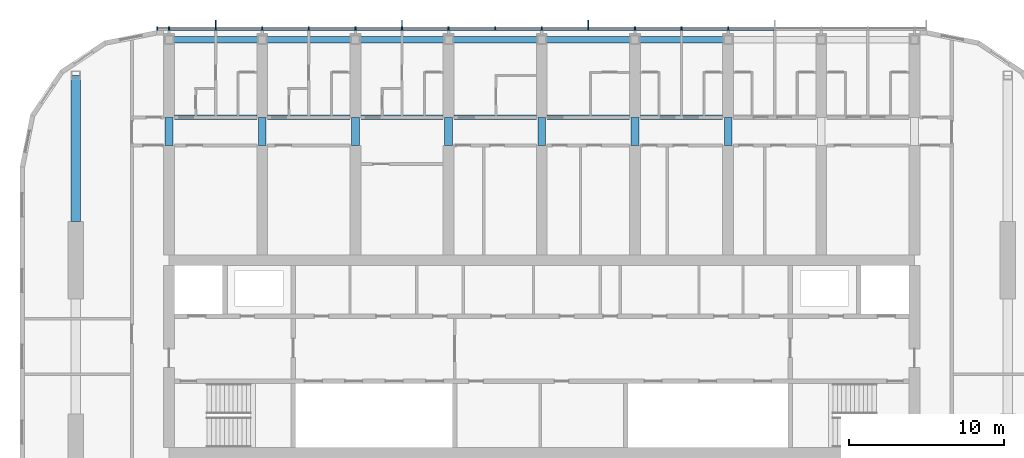
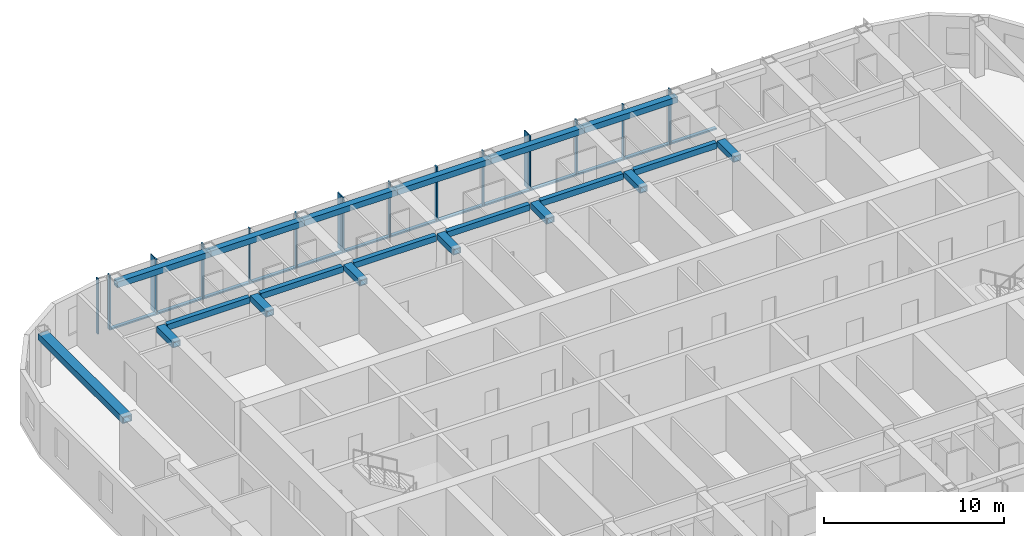
# One storey, part 4 of 24: 30 members, 20 beams, 1 element without a shape of its own.
"""IFC4 building model written with IfcOpenShell, lengths in metres."""

from ifc_helpers import new_model, si_unit, direction, frame, origin, origin_2d, place, context, subcontext, project, spatial, rectangle, hollow_rectangle, extrude, material, material_profile, profile_set, type_object, element, aggregate, save


model = new_model("IFC4")

# Units and contexts
model_context = context("Model", 3, precision=1e-05, world=origin(), true_north=direction((0.0, 1.0)))
body_context = subcontext(model_context, "Body", "Model", "MODEL_VIEW")
ifc_project = project(units=[si_unit("LENGTHUNIT", "METRE"), si_unit("AREAUNIT", "SQUARE_METRE"), si_unit("VOLUMEUNIT", "CUBIC_METRE"), si_unit("PLANEANGLEUNIT", "RADIAN"), si_unit("MASSUNIT", "GRAM", prefix="KILO")], contexts=[model_context])

# Site, building, storey
site_placement = place(None, origin())
site = spatial("IfcSite", under=ifc_project, at=site_placement, CompositionType="ELEMENT")
building_placement = place(site_placement, origin())
building = spatial("IfcBuilding", under=site, at=building_placement, Name="Orbita Commons", CompositionType="ELEMENT")
storey_placement = place(building_placement, frame((0.0, 0.0, 239.050048828125)))
storey = spatial("IfcBuildingStorey", under=building, at=storey_placement, Name="L59", CompositionType="ELEMENT", Elevation=239.050048828125)

# Curtain wall, members
ifc_material_1 = material(Name="Anodised aluminium frame, pale silver", Category="aluminium")
curtain_wall_type = type_object("IfcCurtainWallType", Name="Unitised curtain wall CW-U, full-height vision", PredefinedType="NOTDEFINED", material=ifc_material_1)
curtain_wall_placement = place(storey_placement, origin())
curtain_wall = element("IfcCurtainWall", 1, at=curtain_wall_placement, inside=storey, type_object=curtain_wall_type, Name="Curtain wall north L59", PredefinedType="NOTDEFINED")
ifc_material_2 = material(Name="Anodised aluminium, pale silver", Category="aluminium")
ifc_material_profile_1 = material_profile(ifc_material_2, rectangle(XDim=0.080078125, YDim=0.219970703125, at=origin_2d()), Name="AL 80x220")
ifc_profile_set_1 = profile_set([ifc_material_profile_1], Name="Anodised aluminium, pale silver")
member_type_1 = type_object("IfcMemberType", Name="Curtain wall mullion 80x220", PredefinedType="MULLION", material=ifc_profile_set_1)
member_1_placement = place(storey_placement, frame((54.0, 53.110107421875, -0.25), z_axis=(0.0, 0.0, 1.0), x_axis=(-1.0, 0.0, 0.0)))
member_1 = element("IfcMember", 2, at=member_1_placement, type_object=member_type_1, Name="Mullion 6 CW-L59-N", PredefinedType="MULLION", context=body_context, shape_type="SweptSolid", body=[
    extrude(rectangle(XDim=0.080078125, YDim=0.219970703125, at=origin_2d()), origin(), (0.0, 0.0, 1.0), 3.75),
])
member_2_placement = place(storey_placement, frame((51.0, 53.110107421875, -0.25), z_axis=(0.0, 0.0, 1.0), x_axis=(-1.0, 0.0, 0.0)))
member_2 = element("IfcMember", 3, at=member_2_placement, type_object=member_type_1, Name="Mullion 7 CW-L59-N", PredefinedType="MULLION", context=body_context, shape_type="SweptSolid", body=[
    extrude(rectangle(XDim=0.080078125, YDim=0.219970703125, at=origin_2d()), origin(), (0.0, 0.0, 1.0), 3.75),
])
member_3_placement = place(storey_placement, frame((48.0, 53.110107421875, -0.25), z_axis=(0.0, 0.0, 1.0), x_axis=(-1.0, 0.0, 0.0)))
member_3 = element("IfcMember", 4, at=member_3_placement, type_object=member_type_1, Name="Mullion 8 CW-L59-N", PredefinedType="MULLION", context=body_context, shape_type="SweptSolid", body=[
    extrude(rectangle(XDim=0.080078125, YDim=0.219970703125, at=origin_2d()), origin(), (0.0, 0.0, 1.0), 3.75),
])
member_4_placement = place(storey_placement, frame((45.0, 53.110107421875, -0.25), z_axis=(0.0, 0.0, 1.0), x_axis=(-1.0, 0.0, 0.0)))
member_4 = element("IfcMember", 5, at=member_4_placement, type_object=member_type_1, Name="Mullion 9 CW-L59-N", PredefinedType="MULLION", context=body_context, shape_type="SweptSolid", body=[
    extrude(rectangle(XDim=0.080078125, YDim=0.219970703125, at=origin_2d()), origin(), (0.0, 0.0, 1.0), 3.75),
])
member_5_placement = place(storey_placement, frame((42.0, 53.110107421875, -0.25), z_axis=(0.0, 0.0, 1.0), x_axis=(-1.0, 0.0, 0.0)))
member_5 = element("IfcMember", 6, at=member_5_placement, type_object=member_type_1, Name="Mullion 10 CW-L59-N", PredefinedType="MULLION", context=body_context, shape_type="SweptSolid", body=[
    extrude(rectangle(XDim=0.080078125, YDim=0.219970703125, at=origin_2d()), origin(), (0.0, 0.0, 1.0), 3.75),
])
member_6_placement = place(storey_placement, frame((39.0, 53.110107421875, -0.25), z_axis=(0.0, 0.0, 1.0), x_axis=(-1.0, 0.0, 0.0)))
member_6 = element("IfcMember", 7, at=member_6_placement, type_object=member_type_1, Name="Mullion 11 CW-L59-N", PredefinedType="MULLION", context=body_context, shape_type="SweptSolid", body=[
    extrude(rectangle(XDim=0.080078125, YDim=0.219970703125, at=origin_2d()), origin(), (0.0, 0.0, 1.0), 3.75),
])
member_7_placement = place(storey_placement, frame((36.0, 53.110107421875, -0.25), z_axis=(0.0, 0.0, 1.0), x_axis=(-1.0, 0.0, 0.0)))
member_7 = element("IfcMember", 8, at=member_7_placement, type_object=member_type_1, Name="Mullion 12 CW-L59-N", PredefinedType="MULLION", context=body_context, shape_type="SweptSolid", body=[
    extrude(rectangle(XDim=0.080078125, YDim=0.219970703125, at=origin_2d()), origin(), (0.0, 0.0, 1.0), 3.75),
])
member_8_placement = place(storey_placement, frame((33.0, 53.110107421875, -0.25), z_axis=(0.0, 0.0, 1.0), x_axis=(-1.0, 0.0, 0.0)))
member_8 = element("IfcMember", 9, at=member_8_placement, type_object=member_type_1, Name="Mullion 13 CW-L59-N", PredefinedType="MULLION", context=body_context, shape_type="SweptSolid", body=[
    extrude(rectangle(XDim=0.080078125, YDim=0.219970703125, at=origin_2d()), origin(), (0.0, 0.0, 1.0), 3.75),
])
member_9_placement = place(storey_placement, frame((30.0, 53.110107421875, -0.25), z_axis=(0.0, 0.0, 1.0), x_axis=(-1.0, 0.0, 0.0)))
member_9 = element("IfcMember", 10, at=member_9_placement, type_object=member_type_1, Name="Mullion 14 CW-L59-N", PredefinedType="MULLION", context=body_context, shape_type="SweptSolid", body=[
    extrude(rectangle(XDim=0.080078125, YDim=0.219970703125, at=origin_2d()), origin(), (0.0, 0.0, 1.0), 3.75),
])
member_10_placement = place(storey_placement, frame((27.0, 53.110107421875, -0.25), z_axis=(0.0, 0.0, 1.0), x_axis=(-1.0, 0.0, 0.0)))
member_10 = element("IfcMember", 11, at=member_10_placement, type_object=member_type_1, Name="Mullion 15 CW-L59-N", PredefinedType="MULLION", context=body_context, shape_type="SweptSolid", body=[
    extrude(rectangle(XDim=0.080078125, YDim=0.219970703125, at=origin_2d()), origin(), (0.0, 0.0, 1.0), 3.75),
])
member_11_placement = place(storey_placement, frame((24.0, 53.110107421875, -0.25), z_axis=(0.0, 0.0, 1.0), x_axis=(-1.0, 0.0, 0.0)))
member_11 = element("IfcMember", 12, at=member_11_placement, type_object=member_type_1, Name="Mullion 16 CW-L59-N", PredefinedType="MULLION", context=body_context, shape_type="SweptSolid", body=[
    extrude(rectangle(XDim=0.080078125, YDim=0.219970703125, at=origin_2d()), origin(), (0.0, 0.0, 1.0), 3.75),
])
member_12_placement = place(storey_placement, frame((21.0, 53.110107421875, -0.25), z_axis=(0.0, 0.0, 1.0), x_axis=(-1.0, 0.0, 0.0)))
member_12 = element("IfcMember", 13, at=member_12_placement, type_object=member_type_1, Name="Mullion 17 CW-L59-N", PredefinedType="MULLION", context=body_context, shape_type="SweptSolid", body=[
    extrude(rectangle(XDim=0.080078125, YDim=0.219970703125, at=origin_2d()), origin(), (0.0, 0.0, 1.0), 3.75),
])
member_13_placement = place(storey_placement, frame((18.0, 53.110107421875, -0.25), z_axis=(0.0, 0.0, 1.0), x_axis=(-1.0, 0.0, 0.0)))
member_13 = element("IfcMember", 14, at=member_13_placement, type_object=member_type_1, Name="Mullion 18 CW-L59-N", PredefinedType="MULLION", context=body_context, shape_type="SweptSolid", body=[
    extrude(rectangle(XDim=0.080078125, YDim=0.219970703125, at=origin_2d()), origin(), (0.0, 0.0, 1.0), 3.75),
])
member_14_placement = place(storey_placement, frame((17.239990234375, 53.110107421875, -0.25), z_axis=(0.0, 0.0, 1.0), x_axis=(-1.0, 0.0, 0.0)))
member_14 = element("IfcMember", 15, at=member_14_placement, type_object=member_type_1, Name="Mullion 19 CW-L59-N", PredefinedType="MULLION", context=body_context, shape_type="SweptSolid", body=[
    extrude(rectangle(XDim=0.080078125, YDim=0.219970703125, at=origin_2d()), origin(), (0.0, 0.0, 1.0), 3.75),
])
ifc_material_3 = material(Name="Anodised aluminium, pale silver", Category="aluminium")
ifc_material_profile_2 = material_profile(ifc_material_3, rectangle(XDim=0.219970703125, YDim=0.10009765625, at=origin_2d()), Name="AL 220x100")
ifc_profile_set_2 = profile_set([ifc_material_profile_2], Name="Anodised aluminium, pale silver")
member_type_2 = type_object("IfcMemberType", Name="Curtain wall stack transom 220x100", PredefinedType="USERDEFINED", material=ifc_profile_set_2)
member_15_placement = place(storey_placement, frame((56.9599609375, 53.110107421875, -0.199951171875), z_axis=(-1.0, 0.0, 0.0), x_axis=(0.0, -1.0, 0.0)))
member_15 = element("IfcMember", 16, at=member_15_placement, type_object=member_type_2, Name="Transom 5.1 CW-L59-N", ObjectType="TRANSOM", PredefinedType="USERDEFINED", context=body_context, shape_type="SweptSolid", body=[
    extrude(rectangle(XDim=0.219970703125, YDim=0.10009765625, at=origin_2d()), origin(), (0.0, 0.0, 1.0), 2.919921875),
])
member_16_placement = place(storey_placement, frame((53.9599609375, 53.110107421875, -0.199951171875), z_axis=(-1.0, 0.0, 0.0), x_axis=(0.0, -1.0, 0.0)))
member_16 = element("IfcMember", 17, at=member_16_placement, type_object=member_type_2, Name="Transom 6.1 CW-L59-N", ObjectType="TRANSOM", PredefinedType="USERDEFINED", context=body_context, shape_type="SweptSolid", body=[
    extrude(rectangle(XDim=0.219970703125, YDim=0.10009765625, at=origin_2d()), origin(), (0.0, 0.0, 1.0), 2.919921875),
])
member_17_placement = place(storey_placement, frame((50.9599609375, 53.110107421875, -0.199951171875), z_axis=(-1.0, 0.0, 0.0), x_axis=(0.0, -1.0, 0.0)))
member_17 = element("IfcMember", 18, at=member_17_placement, type_object=member_type_2, Name="Transom 7.1 CW-L59-N", ObjectType="TRANSOM", PredefinedType="USERDEFINED", context=body_context, shape_type="SweptSolid", body=[
    extrude(rectangle(XDim=0.219970703125, YDim=0.10009765625, at=origin_2d()), origin(), (0.0, 0.0, 1.0), 2.919921875),
])
member_18_placement = place(storey_placement, frame((47.9599609375, 53.110107421875, -0.199951171875), z_axis=(-1.0, 0.0, 0.0), x_axis=(0.0, -1.0, 0.0)))
member_18 = element("IfcMember", 19, at=member_18_placement, type_object=member_type_2, Name="Transom 8.1 CW-L59-N", ObjectType="TRANSOM", PredefinedType="USERDEFINED", context=body_context, shape_type="SweptSolid", body=[
    extrude(rectangle(XDim=0.219970703125, YDim=0.10009765625, at=origin_2d()), origin(), (0.0, 0.0, 1.0), 2.919921875),
])
member_19_placement = place(storey_placement, frame((44.9599609375, 53.110107421875, -0.199951171875), z_axis=(-1.0, 0.0, 0.0), x_axis=(0.0, -1.0, 0.0)))
member_19 = element("IfcMember", 20, at=member_19_placement, type_object=member_type_2, Name="Transom 9.1 CW-L59-N", ObjectType="TRANSOM", PredefinedType="USERDEFINED", context=body_context, shape_type="SweptSolid", body=[
    extrude(rectangle(XDim=0.219970703125, YDim=0.10009765625, at=origin_2d()), origin(), (0.0, 0.0, 1.0), 2.919921875),
])
member_20_placement = place(storey_placement, frame((41.9599609375, 53.110107421875, -0.199951171875), z_axis=(-1.0, 0.0, 0.0), x_axis=(0.0, -1.0, 0.0)))
member_20 = element("IfcMember", 21, at=member_20_placement, type_object=member_type_2, Name="Transom 10.1 CW-L59-N", ObjectType="TRANSOM", PredefinedType="USERDEFINED", context=body_context, shape_type="SweptSolid", body=[
    extrude(rectangle(XDim=0.219970703125, YDim=0.10009765625, at=origin_2d()), origin(), (0.0, 0.0, 1.0), 2.919921875),
])
member_21_placement = place(storey_placement, frame((38.9599609375, 53.110107421875, -0.199951171875), z_axis=(-1.0, 0.0, 0.0), x_axis=(0.0, -1.0, 0.0)))
member_21 = element("IfcMember", 22, at=member_21_placement, type_object=member_type_2, Name="Transom 11.1 CW-L59-N", ObjectType="TRANSOM", PredefinedType="USERDEFINED", context=body_context, shape_type="SweptSolid", body=[
    extrude(rectangle(XDim=0.219970703125, YDim=0.10009765625, at=origin_2d()), origin(), (0.0, 0.0, 1.0), 2.919921875),
])
member_22_placement = place(storey_placement, frame((35.9599609375, 53.110107421875, -0.199951171875), z_axis=(-1.0, 0.0, 0.0), x_axis=(0.0, -1.0, 0.0)))
member_22 = element("IfcMember", 23, at=member_22_placement, type_object=member_type_2, Name="Transom 12.1 CW-L59-N", ObjectType="TRANSOM", PredefinedType="USERDEFINED", context=body_context, shape_type="SweptSolid", body=[
    extrude(rectangle(XDim=0.219970703125, YDim=0.10009765625, at=origin_2d()), origin(), (0.0, 0.0, 1.0), 2.919921875),
])
member_23_placement = place(storey_placement, frame((32.9599609375, 53.110107421875, -0.199951171875), z_axis=(-1.0, 0.0, 0.0), x_axis=(0.0, -1.0, 0.0)))
member_23 = element("IfcMember", 24, at=member_23_placement, type_object=member_type_2, Name="Transom 13.1 CW-L59-N", ObjectType="TRANSOM", PredefinedType="USERDEFINED", context=body_context, shape_type="SweptSolid", body=[
    extrude(rectangle(XDim=0.219970703125, YDim=0.10009765625, at=origin_2d()), origin(), (0.0, 0.0, 1.0), 2.919921875),
])
member_24_placement = place(storey_placement, frame((29.9599609375, 53.110107421875, -0.199951171875), z_axis=(-1.0, 0.0, 0.0), x_axis=(0.0, -1.0, 0.0)))
member_24 = element("IfcMember", 25, at=member_24_placement, type_object=member_type_2, Name="Transom 14.1 CW-L59-N", ObjectType="TRANSOM", PredefinedType="USERDEFINED", context=body_context, shape_type="SweptSolid", body=[
    extrude(rectangle(XDim=0.219970703125, YDim=0.10009765625, at=origin_2d()), origin(), (0.0, 0.0, 1.0), 2.919921875),
])
member_25_placement = place(storey_placement, frame((26.9599609375, 53.110107421875, -0.199951171875), z_axis=(-1.0, 0.0, 0.0), x_axis=(0.0, -1.0, 0.0)))
member_25 = element("IfcMember", 26, at=member_25_placement, type_object=member_type_2, Name="Transom 15.1 CW-L59-N", ObjectType="TRANSOM", PredefinedType="USERDEFINED", context=body_context, shape_type="SweptSolid", body=[
    extrude(rectangle(XDim=0.219970703125, YDim=0.10009765625, at=origin_2d()), origin(), (0.0, 0.0, 1.0), 2.919921875),
])
member_26_placement = place(storey_placement, frame((23.9599609375, 53.110107421875, -0.199951171875), z_axis=(-1.0, 0.0, 0.0), x_axis=(0.0, -1.0, 0.0)))
member_26 = element("IfcMember", 27, at=member_26_placement, type_object=member_type_2, Name="Transom 16.1 CW-L59-N", ObjectType="TRANSOM", PredefinedType="USERDEFINED", context=body_context, shape_type="SweptSolid", body=[
    extrude(rectangle(XDim=0.219970703125, YDim=0.10009765625, at=origin_2d()), origin(), (0.0, 0.0, 1.0), 2.919921875),
])
member_27_placement = place(storey_placement, frame((20.9599609375, 53.110107421875, -0.199951171875), z_axis=(-1.0, 0.0, 0.0), x_axis=(0.0, -1.0, 0.0)))
member_27 = element("IfcMember", 28, at=member_27_placement, type_object=member_type_2, Name="Transom 17.1 CW-L59-N", ObjectType="TRANSOM", PredefinedType="USERDEFINED", context=body_context, shape_type="SweptSolid", body=[
    extrude(rectangle(XDim=0.219970703125, YDim=0.10009765625, at=origin_2d()), origin(), (0.0, 0.0, 1.0), 2.919921875),
])

# Beams
ifc_material_4 = material(Name="Steel ASTM A572 Gr 50 welded plate", Category="steel")
ifc_material_profile_3 = material_profile(ifc_material_4, hollow_rectangle(XDim=0.300048828125, YDim=0.39990234375, WallThickness=0.0400390625, at=origin_2d()), Name="BOX 400x300x40")
ifc_profile_set_3 = profile_set([ifc_material_profile_3], Name="Steel ASTM A572 Gr 50 welded plate")
beam_type_1 = type_object("IfcBeamType", Name="Steel corridor link BOX 400x300x40", PredefinedType="BEAM", material=ifc_profile_set_3)
for number, where, z_axis, x_axis, name in (
    (29, (18.35009765625, 47.39990234375, 3.300048828125), (1.0, 0.0, 0.0), (0.0, 1.0, 0.0), "Corridor beam NB 4-5 L59"),
    (30, (24.35009765625, 47.39990234375, 3.300048828125), (1.0, 0.0, 0.0), (0.0, 1.0, 0.0), "Corridor beam NB 5-6 L59"),
    (31, (30.35009765625, 47.39990234375, 3.300048828125), (1.0, 0.0, 0.0), (0.0, 1.0, 0.0), "Corridor beam NB 6-7 L59"),
    (32, (36.35009765625, 47.39990234375, 3.300048828125), (1.0, 0.0, 0.0), (0.0, 1.0, 0.0), "Corridor beam NB 7-8 L59"),
    (33, (42.35009765625, 47.39990234375, 3.300048828125), (1.0, 0.0, 0.0), (0.0, 1.0, 0.0), "Corridor beam NB 8-9 L59"),
    (34, (48.35009765625, 47.39990234375, 3.300048828125), (1.0, 0.0, 0.0), (0.0, 1.0, 0.0), "Corridor beam NB 9-10 L59"),
):
    element("IfcBeam", number, at=place(storey_placement, frame(where, z_axis=z_axis, x_axis=x_axis)), inside=storey, type_object=beam_type_1, Name=name, PredefinedType="BEAM", context=body_context, shape_type="SweptSolid", body=[
        extrude(hollow_rectangle(XDim=0.300048828125, YDim=0.39990234375, WallThickness=0.0400390625, at=origin_2d()), origin(), (0.0, 0.0, 1.0), 5.2998046875),
    ])
ifc_material_5 = material(Name="Steel ASTM A572 Gr 50 welded plate", Category="steel")
ifc_material_profile_4 = material_profile(ifc_material_5, hollow_rectangle(XDim=0.5, YDim=0.39990234375, WallThickness=0.050048828125, at=origin_2d()), Name="BOX 400x500x50")
ifc_profile_set_4 = profile_set([ifc_material_profile_4], Name="Steel ASTM A572 Gr 50 welded plate")
beam_type_2 = type_object("IfcBeamType", Name="Steel coupling link BOX 400x500x50", PredefinedType="LINTEL", material=ifc_profile_set_4)
for number, where, z_axis, x_axis, name in (
    (35, (18.0, 45.60009765625, 3.300048828125), (0.0, 1.0, 0.0), (-1.0, 0.0, 0.0), "Coupling beam 4 north L59"),
    (36, (24.0, 45.60009765625, 3.300048828125), (0.0, 1.0, 0.0), (-1.0, 0.0, 0.0), "Coupling beam 5 north L59"),
    (37, (30.0, 45.60009765625, 3.300048828125), (0.0, 1.0, 0.0), (-1.0, 0.0, 0.0), "Coupling beam 6 north L59"),
    (38, (36.0, 45.60009765625, 3.300048828125), (0.0, 1.0, 0.0), (-1.0, 0.0, 0.0), "Coupling beam 7 north L59"),
    (39, (42.0, 45.60009765625, 3.300048828125), (0.0, 1.0, 0.0), (-1.0, 0.0, 0.0), "Coupling beam 8 north L59"),
    (40, (48.0, 45.60009765625, 3.300048828125), (0.0, 1.0, 0.0), (-1.0, 0.0, 0.0), "Coupling beam 9 north L59"),
    (41, (54.0, 45.60009765625, 3.300048828125), (0.0, 1.0, 0.0), (-1.0, 0.0, 0.0), "Coupling beam 10 north L59"),
):
    element("IfcBeam", number, at=place(storey_placement, frame(where, z_axis=z_axis, x_axis=x_axis)), inside=storey, type_object=beam_type_2, Name=name, PredefinedType="LINTEL", context=body_context, shape_type="SweptSolid", body=[
        extrude(hollow_rectangle(XDim=0.5, YDim=0.39990234375, WallThickness=0.050048828125, at=origin_2d()), origin(), (0.0, 0.0, 1.0), 1.7998046875),
    ])
ifc_material_6 = material(Name="Steel ASTM A572 Gr 50 welded plate", Category="steel")
ifc_material_profile_5 = material_profile(ifc_material_6, hollow_rectangle(XDim=0.60009765625, YDim=0.449951171875, WallThickness=0.06005859375, at=origin_2d()), Name="BOX 450x600x60")
ifc_profile_set_5 = profile_set([ifc_material_profile_5], Name="Steel ASTM A572 Gr 50 welded plate")
beam_type_3 = type_object("IfcBeamType", Name="Steel end frame link BOX 450x600x60", PredefinedType="BEAM", material=ifc_profile_set_5)
beam_placement = place(storey_placement, frame((12.0, 40.699951171875, 3.27490234375), z_axis=(0.0, 1.0, 0.0), x_axis=(-1.0, 0.0, 0.0)))
element("IfcBeam", 42, at=beam_placement, inside=storey, type_object=beam_type_3, Name="End frame beam 3 D-E L59", PredefinedType="BEAM", context=body_context, shape_type="SweptSolid", body=[
    extrude(hollow_rectangle(XDim=0.60009765625, YDim=0.449951171875, WallThickness=0.06005859375, at=origin_2d()), origin(), (0.0, 0.0, 1.0), 9.400146484375),
])
ifc_material_7 = material(Name="Steel ASTM A572 Gr 50 welded plate", Category="steel")
ifc_material_profile_6 = material_profile(ifc_material_7, hollow_rectangle(XDim=0.39990234375, YDim=0.39990234375, WallThickness=0.0400390625, at=origin_2d()), Name="BOX 400x400x40")
ifc_profile_set_6 = profile_set([ifc_material_profile_6], Name="Steel ASTM A572 Gr 50 welded plate")
beam_type_4 = type_object("IfcBeamType", Name="Steel spandrel BOX 400x400x40", PredefinedType="SPANDREL", material=ifc_profile_set_6)
for number, where, z_axis, x_axis, name in (
    (43, (18.0, 52.39990234375, 3.300048828125), (1.0, 0.0, 0.0), (0.0, 1.0, 0.0), "Spandrel beam E 4-5 L59"),
    (44, (24.0, 52.39990234375, 3.300048828125), (1.0, 0.0, 0.0), (0.0, 1.0, 0.0), "Spandrel beam E 5-6 L59"),
    (45, (30.0, 52.39990234375, 3.300048828125), (1.0, 0.0, 0.0), (0.0, 1.0, 0.0), "Spandrel beam E 6-7 L59"),
    (46, (36.0, 52.39990234375, 3.300048828125), (1.0, 0.0, 0.0), (0.0, 1.0, 0.0), "Spandrel beam E 7-8 L59"),
    (47, (42.0, 52.39990234375, 3.300048828125), (1.0, 0.0, 0.0), (0.0, 1.0, 0.0), "Spandrel beam E 8-9 L59"),
    (48, (48.0, 52.39990234375, 3.300048828125), (1.0, 0.0, 0.0), (0.0, 1.0, 0.0), "Spandrel beam E 9-10 L59"),
):
    element("IfcBeam", number, at=place(storey_placement, frame(where, z_axis=z_axis, x_axis=x_axis)), inside=storey, type_object=beam_type_4, Name=name, PredefinedType="SPANDREL", context=body_context, shape_type="SweptSolid", body=[
        extrude(hollow_rectangle(XDim=0.39990234375, YDim=0.39990234375, WallThickness=0.0400390625, at=origin_2d()), origin(), (0.0, 0.0, 1.0), 6.0),
    ])

# Member
ifc_material_8 = material(Name="Anodised aluminium, pale silver", Category="aluminium")
ifc_material_profile_7 = material_profile(ifc_material_8, rectangle(XDim=0.06005859375, YDim=0.449951171875, at=origin_2d()), Name="FIN 60x450")
ifc_profile_set_7 = profile_set([ifc_material_profile_7], Name="Anodised aluminium, pale silver")
member_type_3 = type_object("IfcMemberType", Name="Vertical fin 60x450 pale aluminium", PredefinedType="USERDEFINED", material=ifc_profile_set_7)
member_28_placement = place(storey_placement, frame((45.0, 53.445068359375, -0.25), z_axis=(0.0, 0.0, 1.0), x_axis=(-1.0, 0.0, 0.0)))
member_28 = element("IfcMember", 49, at=member_28_placement, type_object=member_type_3, Name="Fin 9 CW-L59-N", ObjectType="FIN", PredefinedType="USERDEFINED", context=body_context, shape_type="SweptSolid", body=[
    extrude(rectangle(XDim=0.06005859375, YDim=0.449951171875, at=origin_2d()), origin(), (0.0, 0.0, 1.0), 3.75),
])

member_29_placement = place(storey_placement, frame((33.0, 53.445068359375, -0.25), z_axis=(0.0, 0.0, 1.0), x_axis=(-1.0, 0.0, 0.0)))
member_29 = element("IfcMember", 50, at=member_29_placement, type_object=member_type_3, Name="Fin 13 CW-L59-N", ObjectType="FIN", PredefinedType="USERDEFINED", context=body_context, shape_type="SweptSolid", body=[
    extrude(rectangle(XDim=0.06005859375, YDim=0.449951171875, at=origin_2d()), origin(), (0.0, 0.0, 1.0), 3.75),
])

member_30_placement = place(storey_placement, frame((21.0, 53.445068359375, -0.25), z_axis=(0.0, 0.0, 1.0), x_axis=(-1.0, 0.0, 0.0)))
member_30 = element("IfcMember", 51, at=member_30_placement, type_object=member_type_3, Name="Fin 17 CW-L59-N", ObjectType="FIN", PredefinedType="USERDEFINED", context=body_context, shape_type="SweptSolid", body=[
    extrude(rectangle(XDim=0.06005859375, YDim=0.449951171875, at=origin_2d()), origin(), (0.0, 0.0, 1.0), 3.75),
])

aggregate(curtain_wall, [member_1, member_2, member_3, member_4, member_28, member_5, member_6, member_7, member_8, member_29, member_9, member_10, member_11, member_12, member_30, member_13, member_14, member_15, member_16, member_17, member_18, member_19, member_20, member_21, member_22, member_23, member_24, member_25, member_26, member_27])

save(model, "model.ifc")
